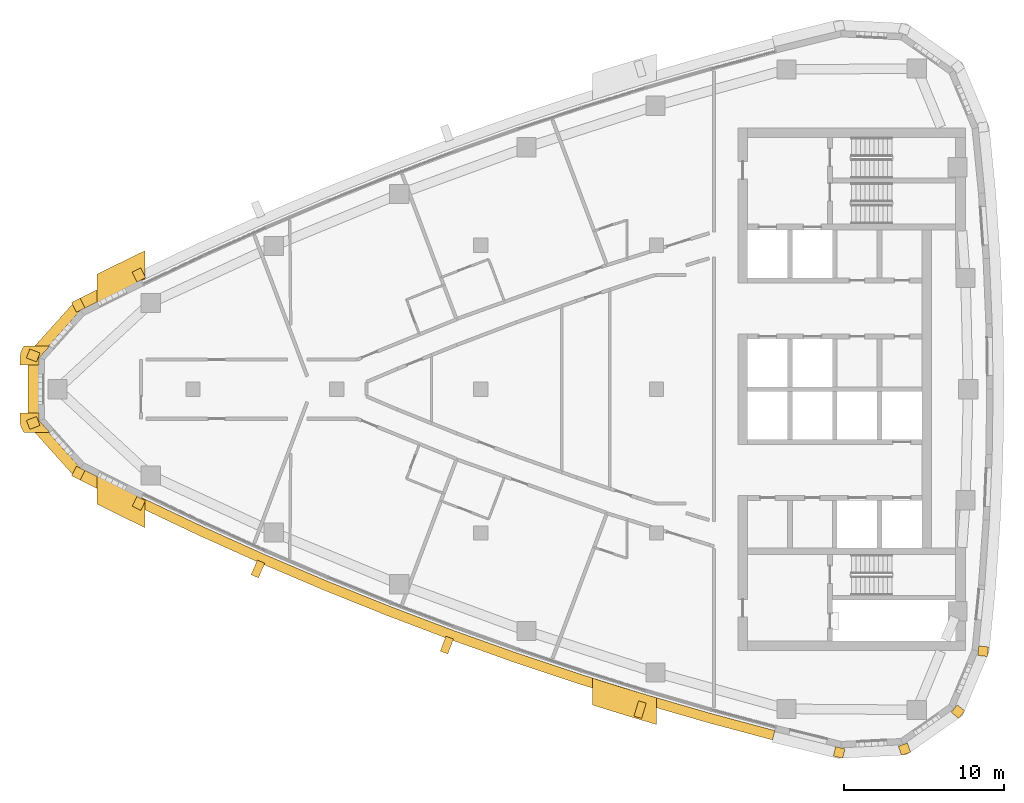
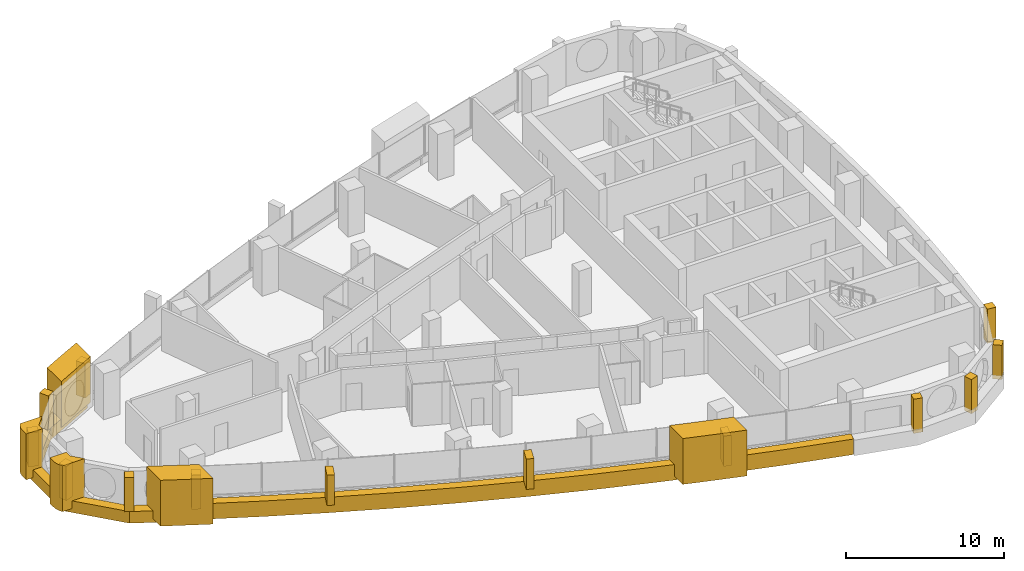
# One storey, part 13 of 16: 20 coverings.
"""IFC4 building model written with IfcOpenShell, lengths in metres."""

from ifc_helpers import new_model, si_unit, direction, frame, frame_2d, origin, place, context, subcontext, project, spatial, polyline, rectangle, outline, extrude, material, layer, layer_set, type_object, element, save


model = new_model("IFC4")

# Units and contexts
model_context = context("Model", 3, precision=1e-05, world=origin(), true_north=direction((0.0, 1.0)))
body_context = subcontext(model_context, "Body", "Model", "MODEL_VIEW")
ifc_project = project(units=[si_unit("LENGTHUNIT", "METRE"), si_unit("AREAUNIT", "SQUARE_METRE"), si_unit("VOLUMEUNIT", "CUBIC_METRE"), si_unit("PLANEANGLEUNIT", "RADIAN"), si_unit("MASSUNIT", "GRAM", prefix="KILO")], contexts=[model_context])

# Site, building, storey
site_placement = place(None, origin())
site = spatial("IfcSite", under=ifc_project, at=site_placement, CompositionType="ELEMENT")
building_placement = place(site_placement, origin())
building = spatial("IfcBuilding", under=site, at=building_placement, Name="Ostrand Prow Hotel Tower", CompositionType="ELEMENT")
storey_placement = place(building_placement, frame((0.0, 0.0, 227.89990234375)))
storey = spatial("IfcBuildingStorey", under=building, at=storey_placement, Name="L57", CompositionType="ELEMENT", Elevation=227.89990234375)

# Coverings
ifc_material_1 = material(Name="Bronze anodised aluminium cladding", Category="aluminium")
ifc_layer_1 = layer(ifc_material_1, 0.60009765625)
ifc_layer_set_1 = layer_set([ifc_layer_1], Name="Bronze anodised aluminium cladding")
covering_type_1 = type_object("IfcCoveringType", Name="Bronze prow band 899x600", PredefinedType="CLADDING", material=ifc_layer_set_1)
covering_1_placement = place(storey_placement, frame((0.0, 0.0, -0.2998046875)))
element("IfcCovering", 1, at=covering_1_placement, inside=storey, type_object=covering_type_1, Name="Bronze prow band", PredefinedType="CLADDING", context=body_context, shape_type="SweptSolid", body=[
    extrude(outline(polyline([(12.464111328125, 7.451904296875), (8.668212890625, 5.55517578125), (5.685302734375, 2.232666015625), (5.685302734375, -2.232666015625), (8.668212890625, -5.55517578125), (12.464111328125, -7.451904296875), (12.76171875, -6.840576171875), (8.97802734375, -4.949951171875), (6.3203125, -1.9892578125), (6.3203125, 1.9892578125), (8.97802734375, 4.949951171875), (12.76171875, 6.840576171875), (12.464111328125, 7.451904296875)])), origin(), (0.0, 0.0, 1.0), 0.89990234375),
])
ifc_material_2 = material(Name="Bronze anodised aluminium cladding", Category="aluminium")
ifc_layer_2 = layer(ifc_material_2, 0.60009765625)
ifc_layer_set_2 = layer_set([ifc_layer_2], Name="Bronze anodised aluminium cladding")
covering_type_2 = type_object("IfcCoveringType", Name="Bronze spandrel band 1200x600", PredefinedType="CLADDING", material=ifc_layer_set_2)
covering_2_placement = place(storey_placement, frame((0.0, 0.0, -0.2998046875)))
element("IfcCovering", 2, at=covering_2_placement, inside=storey, type_object=covering_type_2, Name="Spandrel band S1", PredefinedType="CLADDING", context=body_context, shape_type="SweptSolid", body=[
    extrude(outline(polyline([(12.526123046875, -7.324462890625), (16.35693359375, -9.14306640625), (20.2236328125, -10.88427734375), (24.12451171875, -12.547119140625), (28.058349609375, -14.131103515625), (32.02294921875, -15.635498046875), (36.017333984375, -17.059814453125), (40.039306640625, -18.403564453125), (44.087890625, -19.665771484375), (48.16064453125, -20.846435546875), (52.256591796875, -21.944580078125), (52.40625, -21.363525390625), (48.322021484375, -20.268310546875), (44.260498046875, -19.09130859375), (40.223876953125, -17.83251953125), (36.213134765625, -16.49267578125), (32.230224609375, -15.072509765625), (28.27685546875, -13.572265625), (24.354248046875, -11.992919921875), (20.464599609375, -10.334716796875), (16.60888671875, -8.598388671875), (12.788818359375, -6.784912109375), (12.526123046875, -7.324462890625)])), origin(), (0.0, 0.0, 1.0), 1.199951171875),
])
ifc_material_3 = material(Name="Limestone cladding", Category="masonry")
ifc_layer_3 = layer(ifc_material_3, 5.0)
ifc_layer_set_3 = layer_set([ifc_layer_3], Name="Limestone cladding")
covering_type_3 = type_object("IfcCoveringType", Name="Portal jamb pilaster limestone", PredefinedType="CLADDING", material=ifc_layer_set_3)
covering_3_placement = place(storey_placement, origin())
element("IfcCovering", 3, at=covering_3_placement, inside=storey, type_object=covering_type_3, Name="Portal jamb SA L57", PredefinedType="CLADDING", context=body_context, shape_type="SweptSolid", body=[
    extrude(outline(polyline([(10.0, -5.40087890625), (10.0, -7.19189453125), (11.0, -7.689453125), (12.0, -8.180419921875), (13.0, -8.664794921875), (13.0, -6.8876953125), (12.0, -6.398681640625), (11.0, -5.903076171875), (10.0, -5.40087890625)])), origin(), (0.0, 0.0, 1.0), 3.550048828125),
])
covering_4_placement = place(storey_placement, origin())
element("IfcCovering", 4, at=covering_4_placement, inside=storey, type_object=covering_type_3, Name="Portal jamb SB L57", PredefinedType="CLADDING", context=body_context, shape_type="SweptSolid", body=[
    extrude(outline(polyline([(41.0, -18.08154296875), (41.0, -19.760009765625), (42.0, -20.0732421875), (43.0, -20.381103515625), (44.0, -20.68359375), (45.0, -20.980712890625), (45.0, -19.312255859375), (44.0, -19.0126953125), (43.0, -18.707763671875), (42.0, -18.3974609375), (41.0, -18.08154296875)])), origin(), (0.0, 0.0, 1.0), 3.550048828125),
])
covering_5_placement = place(storey_placement, origin())
element("IfcCovering", 5, at=covering_5_placement, inside=storey, type_object=covering_type_3, Name="Portal jamb NA L57", PredefinedType="CLADDING", context=body_context, shape_type="SweptSolid", body=[
    extrude(outline(polyline([(10.0, 5.40087890625), (11.0, 5.903076171875), (12.0, 6.398681640625), (13.0, 6.8876953125), (13.0, 8.664794921875), (12.0, 8.180419921875), (11.0, 7.689453125), (10.0, 7.19189453125), (10.0, 5.40087890625)])), origin(), (0.0, 0.0, 1.0), 3.550048828125),
])
ifc_material_4 = material(Name="Limestone cladding", Category="masonry")
ifc_layer_4 = layer(ifc_material_4, 0.5)
ifc_layer_set_4 = layer_set([ifc_layer_4], Name="Limestone cladding")
covering_type_4 = type_object("IfcCoveringType", Name="Precast stone fin 500x900", PredefinedType="CLADDING", material=ifc_layer_set_4)
covering_6_placement = place(storey_placement, frame((20.263916015625, -10.79248046875, 0.900146484375), z_axis=(0.0, 0.0, 1.0), x_axis=(-0.401535789459, -0.915843332554, 0.0)))
element("IfcCovering", 6, at=covering_6_placement, inside=storey, type_object=covering_type_4, Name="Stone fin S 3", PredefinedType="CLADDING", context=body_context, shape_type="SweptSolid", body=[
    extrude(rectangle(XDim=1.000244140625, YDim=0.5, at=frame_2d((0.5, 0.0))), origin(), (0.0, 0.0, 1.0), 2.349853515625),
])
for number, where, z_axis, x_axis, name in (
    (7, (32.0576171875, -15.541748046875, 0.900146484375), (0.0, 0.0, 1.0), (-0.345445137787, -0.938438946751, 0.0), "Stone fin S 6"),
    (8, (44.11669921875, -19.570068359375, 0.900146484375), (0.0, 0.0, 1.0), (-0.288109396306, -0.95759750196, 0.0), "Stone fin S 9"),
):
    element("IfcCovering", number, at=place(storey_placement, frame(where, z_axis=z_axis, x_axis=x_axis)), inside=storey, type_object=covering_type_4, Name=name, PredefinedType="CLADDING", context=body_context, shape_type="SweptSolid", body=[
        extrude(rectangle(XDim=1.0, YDim=0.5, at=frame_2d((0.5, 0.0))), origin(), (0.0, 0.0, 1.0), 2.349853515625),
    ])
ifc_material_5 = material(Name="Limestone cladding", Category="masonry")
ifc_layer_5 = layer(ifc_material_5, 0.60009765625)
ifc_layer_set_5 = layer_set([ifc_layer_5], Name="Limestone cladding")
covering_type_5 = type_object("IfcCoveringType", Name="Precast stone prow rib 600x600", PredefinedType="CLADDING", material=ifc_layer_set_5)
for number, where, z_axis, x_axis, name in (
    (9, (12.76171875, 6.840576171875, 0.60009765625), (0.0, 0.0, 1.0), (-0.437708972644, 0.899116708368, 0.0), "Stone prow rib 1"),
    (10, (8.97802734375, 4.949951171875, 0.60009765625), (0.0, 0.0, 1.0), (-0.455667721738, 0.890149946563, 0.0), "Stone prow rib 2"),
):
    element("IfcCovering", number, at=place(storey_placement, frame(where, z_axis=z_axis, x_axis=x_axis)), inside=storey, type_object=covering_type_5, Name=name, PredefinedType="CLADDING", context=body_context, shape_type="SweptSolid", body=[
        extrude(rectangle(XDim=0.679931640625, YDim=0.60009765625, at=frame_2d((0.33984375, 0.0))), origin(), (0.0, 0.0, 1.0), 2.64990234375),
    ])
for number, where, z_axis, x_axis, name in (
    (11, (6.3203125, 1.9892578125, 0.60009765625), (0.0, 0.0, 1.0), (-0.9337521164, 0.357920361419, 0.0), "Stone prow rib 3"),
    (12, (6.3203125, -1.9892578125, 0.60009765625), (0.0, 0.0, 1.0), (-0.9337521164, -0.357920361419, 0.0), "Stone prow rib 4"),
):
    element("IfcCovering", number, at=place(storey_placement, frame(where, z_axis=z_axis, x_axis=x_axis)), inside=storey, type_object=covering_type_5, Name=name, PredefinedType="CLADDING", context=body_context, shape_type="SweptSolid", body=[
        extrude(rectangle(XDim=0.68017578125, YDim=0.60009765625, at=frame_2d((0.340087890625, 0.0))), origin(), (0.0, 0.0, 1.0), 2.64990234375),
    ])
for number, where, z_axis, x_axis, name in (
    (13, (8.97802734375, -4.949951171875, 0.60009765625), (0.0, 0.0, 1.0), (-0.455667721738, -0.890149946563, 0.0), "Stone prow rib 5"),
    (14, (12.76171875, -6.840576171875, 0.60009765625), (0.0, 0.0, 1.0), (-0.437708972644, -0.899116708368, 0.0), "Stone prow rib 6"),
):
    element("IfcCovering", number, at=place(storey_placement, frame(where, z_axis=z_axis, x_axis=x_axis)), inside=storey, type_object=covering_type_5, Name=name, PredefinedType="CLADDING", context=body_context, shape_type="SweptSolid", body=[
        extrude(rectangle(XDim=0.679931640625, YDim=0.60009765625, at=frame_2d((0.33984375, 0.0))), origin(), (0.0, 0.0, 1.0), 2.64990234375),
    ])
for number, where, z_axis, x_axis, name in (
    (15, (56.49755859375, -22.436279296875, 0.60009765625), (0.0, 0.0, 1.0), (-0.229878322855, -0.973219377469, 0.0), "Stone corner rib 2a"),
    (16, (60.417236328125, -22.240966796875, 0.60009765625), (0.0, 0.0, 1.0), (0.325489086777, -0.945545797087, 0.0), "Stone corner rib 3a"),
    (17, (63.62744140625, -19.98291015625, 0.60009765625), (0.0, 0.0, 1.0), (0.779994736518, -0.625786074473, 0.0), "Stone corner rib 4a"),
    (18, (65.13623046875, -16.35986328125, 0.60009765625), (0.0, 0.0, 1.0), (0.993628058569, -0.112708833834, 0.0), "Stone corner rib 4b"),
):
    element("IfcCovering", number, at=place(storey_placement, frame(where, z_axis=z_axis, x_axis=x_axis)), inside=storey, type_object=covering_type_5, Name=name, PredefinedType="CLADDING", context=body_context, shape_type="SweptSolid", body=[
        extrude(rectangle(XDim=0.60009765625, YDim=0.60009765625, at=frame_2d((0.300048828125, 0.0))), origin(), (0.0, 0.0, 1.0), 2.64990234375),
    ])
ifc_material_6 = material(Name="Limestone cladding", Category="masonry")
ifc_layer_6 = layer(ifc_material_6, 3.0)
ifc_layer_set_6 = layer_set([ifc_layer_6], Name="Limestone cladding")
covering_type_6 = type_object("IfcCoveringType", Name="Prow nose pier limestone", PredefinedType="CLADDING", material=ifc_layer_set_6)
covering_7_placement = place(storey_placement, origin())
element("IfcCovering", 19, at=covering_7_placement, inside=storey, type_object=covering_type_6, Name="Prow spine fin N L57", PredefinedType="CLADDING", context=body_context, shape_type="SweptSolid", body=[
    extrude(outline(polyline([(5.177734375, 1.96728515625), (5.177734375, 1.5), (6.377685546875, 1.5), (6.377685546875, 1.96728515625), (7.03564453125, 2.699951171875), (5.42919921875, 2.699951171875), (5.406005859375, 2.67138671875), (5.337890625, 2.566162109375), (5.28125, 2.454345703125), (5.236328125, 2.33740234375), (5.203857421875, 2.21630859375), (5.184326171875, 2.09228515625), (5.177734375, 1.96728515625)])), origin(), (0.0, 0.0, 1.0), 3.550048828125),
])
covering_8_placement = place(storey_placement, origin())
element("IfcCovering", 20, at=covering_8_placement, inside=storey, type_object=covering_type_6, Name="Prow spine fin S L57", PredefinedType="CLADDING", context=body_context, shape_type="SweptSolid", body=[
    extrude(outline(polyline([(5.406005859375, -2.67138671875), (5.42919921875, -2.699951171875), (7.03564453125, -2.699951171875), (6.377685546875, -1.96728515625), (6.377685546875, -1.5), (5.177734375, -1.5), (5.177734375, -1.96728515625), (5.184326171875, -2.09228515625), (5.203857421875, -2.21630859375), (5.236328125, -2.33740234375), (5.28125, -2.454345703125), (5.337890625, -2.566162109375), (5.406005859375, -2.67138671875)])), origin(), (0.0, 0.0, 1.0), 3.550048828125),
])

save(model, "model.ifc")
